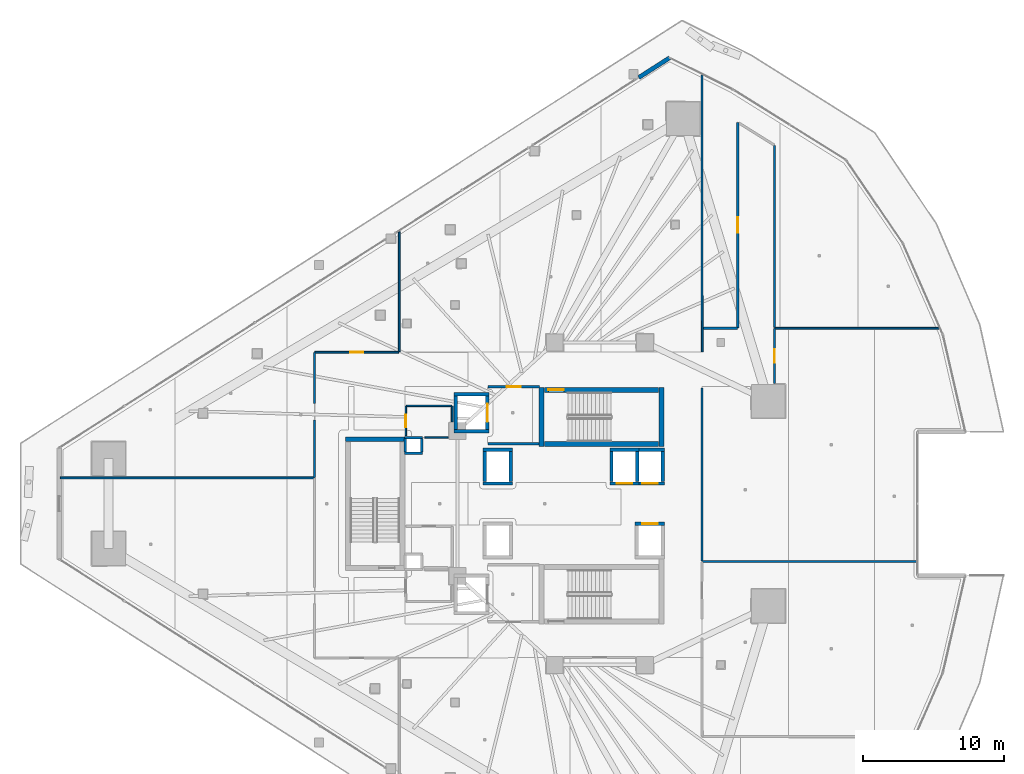
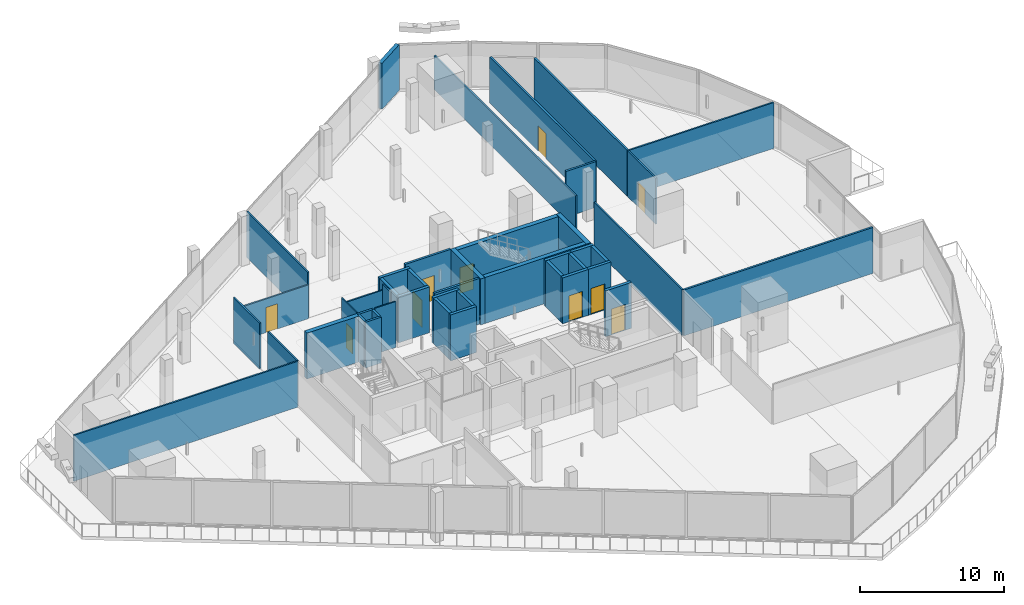
# One storey, part 30 of 45: 45 walls, 10 doors, 10 openings.
"""IFC4 building model written with IfcOpenShell, lengths in metres."""

from ifc_helpers import new_model, si_unit, direction, frame, frame_2d, origin, place, context, subcontext, project, spatial, rectangle, extrude, material, layer, layer_set, type_object, element, fill, save


model = new_model("IFC4")

# Units and contexts
model_context = context("Model", 3, precision=1e-05, world=origin(), true_north=direction((0.0, 1.0)))
body_context = subcontext(model_context, "Body", "Model", "MODEL_VIEW")
ifc_project = project(units=[si_unit("LENGTHUNIT", "METRE"), si_unit("AREAUNIT", "SQUARE_METRE"), si_unit("VOLUMEUNIT", "CUBIC_METRE"), si_unit("PLANEANGLEUNIT", "RADIAN"), si_unit("MASSUNIT", "GRAM", prefix="KILO")], contexts=[model_context])

# Site, building, storey
site_placement = place(None, origin())
site = spatial("IfcSite", under=ifc_project, at=site_placement, CompositionType="ELEMENT")
building_placement = place(site_placement, origin())
building = spatial("IfcBuilding", under=site, at=building_placement, Name="Qorvath Tower", CompositionType="ELEMENT")
storey_placement = place(building_placement, frame((0.0, 0.0, 95.39990234375)))
storey = spatial("IfcBuildingStorey", under=building, at=storey_placement, Name="L21", CompositionType="ELEMENT", Elevation=95.39990234375)

# Walls
ifc_material_1 = material(Name="Gypsum shaftliner on steel studs", Category="steel")
ifc_layer_1 = layer(ifc_material_1, 0.179931640625)
ifc_layer_set_1 = layer_set([ifc_layer_1], Name="FW-LOBBY")
wall_type_1 = type_object("IfcWallType", Name="FW-LOBBY", PredefinedType="PARTITIONING", material=ifc_layer_set_1)
for number, where, z_axis, x_axis, name in (
    (1, (-32.989990234375, 3.594970703125, 0.0), (0.0, 0.0, 1.0), (-1.0, 0.0, 0.0), "MEP Riser Shaft Enclosure Wall N-L21-S"),
    (2, (-34.260009765625, 4.675048828125, 0.0), (0.0, 0.0, 1.0), (1.0, 0.0, 0.0), "MEP Riser Shaft Enclosure Wall N-L21-N"),
):
    element("IfcWall", number, at=place(storey_placement, frame(where, z_axis=z_axis, x_axis=x_axis)), inside=storey, type_object=wall_type_1, Name=name, PredefinedType="PARTITIONING", context=body_context, shape_type="SweptSolid", body=[
        extrude(rectangle(XDim=1.27001953125, YDim=0.179931640625, at=frame_2d((0.635009765625, 0.0))), origin(), (0.0, 0.0, 1.0), 3.900146484375),
    ])
for number, where, z_axis, x_axis, name in (
    (3, (-34.205078125, 3.659912109375, 0.0), (0.0, 0.0, 1.0), (0.0, 1.0, 0.0), "MEP Riser Shaft Enclosure Wall N-L21-W"),
    (4, (-33.044921875, 4.610107421875, 0.0), (0.0, 0.0, 1.0), (0.0, -1.0, 0.0), "MEP Riser Shaft Enclosure Wall N-L21-E"),
):
    element("IfcWall", number, at=place(storey_placement, frame(where, z_axis=z_axis, x_axis=x_axis)), inside=storey, type_object=wall_type_1, Name=name, PredefinedType="PARTITIONING", context=body_context, shape_type="SweptSolid", body=[
        extrude(rectangle(XDim=0.9501953125, YDim=0.179931640625, at=frame_2d((0.47509765625, 0.0))), origin(), (0.0, 0.0, 1.0), 3.900146484375),
    ])
wall_1_placement = place(storey_placement, frame((-28.35498046875, 4.25, 0.0), z_axis=(0.0, 0.0, 1.0), x_axis=(1.0, 0.0, 0.0)))
element("IfcWall", 5, at=wall_1_placement, inside=storey, type_object=wall_type_1, Name="Interior Partition IW-T1-L21-001", PredefinedType="PARTITIONING", context=body_context, shape_type="SweptSolid", body=[
    extrude(rectangle(XDim=3.6220703125, YDim=0.179931640625, at=frame_2d((1.81103515625, 0.0))), origin(), (0.0, 0.0, 1.0), 3.900146484375),
])

# Wall, opening, door
wall_2_placement = place(storey_placement, frame((-24.68408203125, 8.300048828125, 0.0), z_axis=(0.0, 0.0, 1.0), x_axis=(-1.0, 0.0, 0.0)))
wall_2 = element("IfcWall", 6, at=wall_2_placement, inside=storey, type_object=wall_type_1, Name="Interior Partition IW-T1-L21-002", PredefinedType="PARTITIONING", context=body_context, shape_type="SweptSolid", body=[
    extrude(rectangle(XDim=3.6708984375, YDim=0.179931640625, at=frame_2d((1.83544921875, 0.0))), origin(), (0.0, 0.0, 1.0), 3.900146484375),
])
opening_1_placement = place(wall_2_placement, frame((1.33544921875, 0.0, 0.0)))
opening_1 = element("IfcOpeningElement", 7, at=opening_1_placement, cuts=wall_2, Name="Opening D-T1-L21-09", PredefinedType="OPENING", context=body_context, shape_type="SweptSolid", body=[
    extrude(rectangle(XDim=1.0, YDim=2.14990234375, at=frame_2d((0.5, 1.074951171875))), frame((0.0, 0.10009765625, 0.0), z_axis=(0.0, -1.0, 0.0), x_axis=(1.0, 0.0, 0.0)), (0.0, 0.0, 1.0), 0.199951171875),
])
ifc_material_2 = material(Name="Painted galvanised hollow metal", Category="steel")
door_type_1 = type_object("IfcDoorType", Name="FD-60", OperationType="NOTDEFINED", PredefinedType="DOOR", material=ifc_material_2)
door_1_placement = place(opening_1_placement, origin())
door_1 = element("IfcDoor", 8, at=door_1_placement, inside=storey, type_object=door_type_1, Name="Lobby Fire Service Elevator North Door D-T1-L21-09", OperationType="SINGLE_SWING_RIGHT", OverallHeight=2.14990234375, OverallWidth=1.0, PredefinedType="DOOR", context=body_context, shape_type="SweptSolid", body=[
    extrude(rectangle(XDim=1.0, YDim=2.14990234375, at=frame_2d((0.5, 1.074951171875))), frame((0.0, 0.02490234375, 0.0), z_axis=(0.0, -1.0, 0.0), x_axis=(1.0, 0.0, 0.0)), (0.0, 0.0, 1.0), 0.050048828125),
])
fill(opening_1, door_1)

# Walls
ifc_material_3 = material(Name="Double acoustic gypsum board on steel studs", Category="steel")
ifc_layer_2 = layer(ifc_material_3, 0.159912109375)
ifc_layer_set_2 = layer_set([ifc_layer_2], Name="IW-ACOUSTIC-160")
wall_type_2 = type_object("IfcWallType", Name="IW-ACOUSTIC-160", PredefinedType="PARTITIONING", material=ifc_layer_set_2)
wall_3_placement = place(storey_placement, frame((2.09228515625, -4.102783203125, 0.0), z_axis=(0.0, 0.0, 1.0), x_axis=(-1.0, 0.0, 0.0)))
element("IfcWall", 9, at=wall_3_placement, inside=storey, type_object=wall_type_2, Name="Interior Partition IW-T1-L21-022", PredefinedType="PARTITIONING", context=body_context, shape_type="SweptSolid", body=[
    extrude(rectangle(XDim=15.20947265625, YDim=0.159912109375, at=frame_2d((7.604736328125, 0.0))), origin(), (0.0, 0.0, 1.0), 3.900146484375),
])
wall_4_placement = place(storey_placement, frame((-13.0205078125, 12.464111328125, 0.0), z_axis=(0.0, 0.0, 1.0), x_axis=(1.0, 0.0, 0.0)))
element("IfcWall", 10, at=wall_4_placement, inside=storey, type_object=wall_type_2, Name="Interior Partition IW-T1-L21-028", PredefinedType="PARTITIONING", context=body_context, shape_type="SweptSolid", body=[
    extrude(rectangle(XDim=2.3876953125, YDim=0.159912109375, at=frame_2d((1.19384765625, 0.0))), origin(), (0.0, 0.0, 1.0), 3.900146484375),
])

# Wall, opening, door
wall_5_placement = place(storey_placement, frame((-10.60791015625, 27.066650390625, 0.0), z_axis=(0.0, 0.0, 1.0), x_axis=(0.0, -1.0, 0.0)))
wall_5 = element("IfcWall", 11, at=wall_5_placement, inside=storey, type_object=wall_type_2, Name="Interior Partition IW-T1-L21-029", PredefinedType="PARTITIONING", context=body_context, shape_type="SweptSolid", body=[
    extrude(rectangle(XDim=14.57763671875, YDim=0.159912109375, at=frame_2d((7.288818359375, 0.0))), origin(), (0.0, 0.0, 1.0), 3.900146484375),
])
opening_2_placement = place(wall_5_placement, frame((6.73876953125, 0.0, 0.0)))
opening_2 = element("IfcOpeningElement", 12, at=opening_2_placement, cuts=wall_5, Name="Opening D-T1-L21-06", PredefinedType="OPENING", context=body_context, shape_type="SweptSolid", body=[
    extrude(rectangle(XDim=1.10009765625, YDim=2.14990234375, at=frame_2d((0.550048828125, 1.074951171875))), frame((0.0, 0.08984375, 0.0), z_axis=(0.0, -1.0, 0.0), x_axis=(1.0, 0.0, 0.0)), (0.0, 0.0, 1.0), 0.179931640625),
])
ifc_material_4 = material(Name="Anodised aluminium acoustic framed glass", Category="aluminium")
door_type_2 = type_object("IfcDoorType", Name="D-03", OperationType="NOTDEFINED", PredefinedType="DOOR", material=ifc_material_4)
door_2_placement = place(opening_2_placement, origin())
door_2 = element("IfcDoor", 13, at=door_2_placement, inside=storey, type_object=door_type_2, Name="L21-05 Team Project Office Door D-T1-L21-06", OperationType="SINGLE_SWING_LEFT", OverallHeight=2.14990234375, OverallWidth=1.10009765625, PredefinedType="DOOR", context=body_context, shape_type="SweptSolid", body=[
    extrude(rectangle(XDim=1.10009765625, YDim=2.14990234375, at=frame_2d((0.550048828125, 1.074951171875))), frame((0.0, 0.02490234375, 0.0), z_axis=(0.0, -1.0, 0.0), x_axis=(1.0, 0.0, 0.0)), (0.0, 0.0, 1.0), 0.050048828125),
])
fill(opening_2, door_2)

# Walls
wall_6_placement = place(storey_placement, frame((-7.991943359375, 25.433349609375, 0.0), z_axis=(0.0, 0.0, 1.0), x_axis=(0.0, -1.0, 0.0)))
element("IfcWall", 14, at=wall_6_placement, inside=storey, type_object=wall_type_2, Name="Interior Partition IW-T1-L21-031", PredefinedType="PARTITIONING", context=body_context, shape_type="SweptSolid", body=[
    extrude(rectangle(XDim=12.93603515625, YDim=0.159912109375, at=frame_2d((6.468017578125, 0.0))), origin(), (0.0, 0.0, 1.0), 3.900146484375),
])
ifc_material_5 = material(Name="Gypsum board on metal studs with mineral wool", Category="gypsum")
ifc_layer_3 = layer(ifc_material_5, 0.125)
ifc_layer_set_3 = layer_set([ifc_layer_3], Name="IW-PART-125")
wall_type_3 = type_object("IfcWallType", Name="IW-PART-125", PredefinedType="PARTITIONING", material=ifc_layer_set_3)
wall_7_placement = place(storey_placement, frame((-13.1298828125, 10.783203125, 0.0), z_axis=(0.0, 0.0, 1.0), x_axis=(-0.000397683462, 0.999999920924, 0.0)))
element("IfcWall", 15, at=wall_7_placement, inside=storey, type_object=wall_type_3, Name="Interior Partition IW-T1-L21-016", PredefinedType="PARTITIONING", context=body_context, shape_type="SweptSolid", body=[
    extrude(rectangle(XDim=19.64501953125, YDim=0.125, at=frame_2d((9.822509765625, 0.0))), origin(), (0.0, 0.0, 1.0), 2.8701171875),
])
wall_8_placement = place(storey_placement, frame((-34.64990234375, 19.308349609375, 0.0), z_axis=(0.0, 0.0, 1.0), x_axis=(0.0, -1.0, 0.0)))
element("IfcWall", 16, at=wall_8_placement, inside=storey, type_object=wall_type_3, Name="Interior Partition IW-T1-L21-017", PredefinedType="PARTITIONING", context=body_context, shape_type="SweptSolid", body=[
    extrude(rectangle(XDim=8.525146484375, YDim=0.125, at=frame_2d((4.2626953125, 0.0))), origin(), (0.0, 0.0, 1.0), 3.900146484375),
])
wall_9_placement = place(storey_placement, frame((3.6962890625, 12.464111328125, 0.0), z_axis=(0.0, 0.0, 1.0), x_axis=(-1.0, 0.0, 0.0)))
element("IfcWall", 17, at=wall_9_placement, inside=storey, type_object=wall_type_3, Name="Interior Partition IW-T1-L21-025", PredefinedType="PARTITIONING", context=body_context, shape_type="SweptSolid", body=[
    extrude(rectangle(XDim=11.6630859375, YDim=0.125, at=frame_2d((5.83154296875, 0.0))), origin(), (0.0, 0.0, 1.0), 3.900146484375),
])

# Wall, opening, door
wall_10_placement = place(storey_placement, frame((-7.991943359375, 12.439208984375, 0.0), z_axis=(0.0, 0.0, 1.0), x_axis=(0.0, -1.0, 0.0)))
wall_10 = element("IfcWall", 18, at=wall_10_placement, inside=storey, type_object=wall_type_3, Name="Interior Partition IW-T1-L21-026", PredefinedType="PARTITIONING", context=body_context, shape_type="SweptSolid", body=[
    extrude(rectangle(XDim=3.897705078125, YDim=0.125, at=frame_2d((1.94873046875, 0.0))), origin(), (0.0, 0.0, 1.0), 3.900146484375),
])
opening_3_placement = place(wall_10_placement, frame((1.473876953125, 0.0, 0.0)))
opening_3 = element("IfcOpeningElement", 19, at=opening_3_placement, cuts=wall_10, Name="Opening D-T1-L21-05", PredefinedType="OPENING", context=body_context, shape_type="SweptSolid", body=[
    extrude(rectangle(XDim=0.949951171875, YDim=2.14990234375, at=frame_2d((0.47509765625, 1.074951171875))), frame((0.0, 0.072509765625, 0.0), z_axis=(0.0, -1.0, 0.0), x_axis=(1.0, 0.0, 0.0)), (0.0, 0.0, 1.0), 0.14501953125),
])
ifc_material_6 = material(Name="Solid-core American white oak veneer", Category="wood")
door_type_3 = type_object("IfcDoorType", Name="D-01", OperationType="NOTDEFINED", PredefinedType="DOOR", material=ifc_material_6)
door_3_placement = place(opening_3_placement, origin())
door_3 = element("IfcDoor", 20, at=door_3_placement, inside=storey, type_object=door_type_3, Name="L21-04 Quantitative Research Studio Door D-T1-L21-05", OperationType="SINGLE_SWING_RIGHT", OverallHeight=2.14990234375, OverallWidth=0.949951171875, PredefinedType="DOOR", context=body_context, shape_type="SweptSolid", body=[
    extrude(rectangle(XDim=0.949951171875, YDim=2.14990234375, at=frame_2d((0.47509765625, 1.074951171875))), frame((0.0, 0.02490234375, 0.0), z_axis=(0.0, -1.0, 0.0), x_axis=(1.0, 0.0, 0.0)), (0.0, 0.0, 1.0), 0.050048828125),
])
fill(opening_3, door_3)

# Walls
wall_11_placement = place(storey_placement, frame((-13.14208984375, 8.202392578125, 0.0), z_axis=(0.0, 0.0, 1.0), x_axis=(0.0, -1.0, 0.0)))
element("IfcWall", 21, at=wall_11_placement, inside=storey, type_object=wall_type_3, Name="Interior Partition IW-T1-L21-027", PredefinedType="PARTITIONING", context=body_context, shape_type="SweptSolid", body=[
    extrude(rectangle(XDim=12.2724609375, YDim=0.125, at=frame_2d((6.13623046875, 0.0))), origin(), (0.0, 0.0, 1.0), 3.900146484375),
])
wall_12_placement = place(storey_placement, frame((-40.68310546875, 1.83056640625, 0.0), z_axis=(0.0, 0.0, 1.0), x_axis=(-1.0, 0.0, 0.0)))
element("IfcWall", 22, at=wall_12_placement, inside=storey, type_object=wall_type_3, Name="Interior Partition IW-T1-L21-035", PredefinedType="PARTITIONING", context=body_context, shape_type="SweptSolid", body=[
    extrude(rectangle(XDim=18.030029296875, YDim=0.125, at=frame_2d((9.01513671875, 0.0))), origin(), (0.0, 0.0, 1.0), 3.900146484375),
])
wall_13_placement = place(storey_placement, frame((-40.657958984375, 1.863525390625, 0.0), z_axis=(0.0, 0.0, 1.0), x_axis=(0.0, 1.0, 0.0)))
element("IfcWall", 23, at=wall_13_placement, inside=storey, type_object=wall_type_3, Name="Interior Partition IW-T1-L21-036", PredefinedType="PARTITIONING", context=body_context, shape_type="SweptSolid", body=[
    extrude(rectangle(XDim=4.076416015625, YDim=0.125, at=frame_2d((2.0380859375, 0.0))), origin(), (0.0, 0.0, 1.0), 3.900146484375),
])
wall_14_placement = place(storey_placement, frame((-40.657958984375, 7.114013671875, 0.0), z_axis=(0.0, 0.0, 1.0), x_axis=(0.0, 1.0, 0.0)))
element("IfcWall", 24, at=wall_14_placement, inside=storey, type_object=wall_type_3, Name="Interior Partition IW-T1-L21-037", PredefinedType="PARTITIONING", context=body_context, shape_type="SweptSolid", body=[
    extrude(rectangle(XDim=3.619140625, YDim=0.125, at=frame_2d((1.8095703125, 0.0))), origin(), (0.0, 0.0, 1.0), 3.900146484375),
])

# Wall, opening, door
wall_15_placement = place(storey_placement, frame((-34.68310546875, 10.758056640625, 0.0), z_axis=(0.0, 0.0, 1.0), x_axis=(-1.0, 0.0, 0.0)))
wall_15 = element("IfcWall", 25, at=wall_15_placement, inside=storey, type_object=wall_type_3, Name="Interior Partition IW-T1-L21-038", PredefinedType="PARTITIONING", context=body_context, shape_type="SweptSolid", body=[
    extrude(rectangle(XDim=5.949951171875, YDim=0.125, at=frame_2d((2.97509765625, 0.0))), origin(), (0.0, 0.0, 1.0), 2.8701171875),
])
opening_4_placement = place(wall_15_placement, frame((2.5, 0.0, 0.0)))
opening_4 = element("IfcOpeningElement", 26, at=opening_4_placement, cuts=wall_15, Name="Opening D-T1-L21-08", PredefinedType="OPENING", context=body_context, shape_type="SweptSolid", body=[
    extrude(rectangle(XDim=0.949951171875, YDim=2.14990234375, at=frame_2d((0.47509765625, 1.074951171875))), frame((0.0, 0.072509765625, 0.0), z_axis=(0.0, -1.0, 0.0), x_axis=(1.0, 0.0, 0.0)), (0.0, 0.0, 1.0), 0.14501953125),
])
door_4_placement = place(opening_4_placement, origin())
door_4 = element("IfcDoor", 27, at=door_4_placement, inside=storey, type_object=door_type_3, Name="L21-07 Open Workplace Studio Door D-T1-L21-08", OperationType="SINGLE_SWING_LEFT", OverallHeight=2.14990234375, OverallWidth=0.949951171875, PredefinedType="DOOR", context=body_context, shape_type="SweptSolid", body=[
    extrude(rectangle(XDim=0.949951171875, YDim=2.14990234375, at=frame_2d((0.47509765625, 1.074951171875))), frame((0.0, 0.02490234375, 0.0), z_axis=(0.0, -1.0, 0.0), x_axis=(1.0, 0.0, 0.0)), (0.0, 0.0, 1.0), 0.050048828125),
])
fill(opening_4, door_4)

ifc_material_7 = material(Name="Moisture-resistant cement board on metal studs", Category="gypsum")
ifc_layer_4 = layer(ifc_material_7, 0.110107421875)
ifc_layer_set_4 = layer_set([ifc_layer_4], Name="IW-WC-110")
wall_type_4 = type_object("IfcWallType", Name="IW-WC-110", PredefinedType="PARTITIONING", material=ifc_layer_set_4)
wall_16_placement = place(storey_placement, frame((-34.179931640625, 6.925048828125, 0.0), z_axis=(0.0, 0.0, 1.0), x_axis=(0.0, -1.0, 0.0)))
wall_16 = element("IfcWall", 28, at=wall_16_placement, inside=storey, type_object=wall_type_4, Name="Interior Partition IW-T1-L21-005", PredefinedType="PARTITIONING", context=body_context, shape_type="SweptSolid", body=[
    extrude(rectangle(XDim=2.0849609375, YDim=0.110107421875, at=frame_2d((1.04248046875, 0.0))), origin(), (0.0, 0.0, 1.0), 3.900146484375),
])
opening_5_placement = place(wall_16_placement, frame((0.6025390625, 0.0, 0.0)))
opening_5 = element("IfcOpeningElement", 29, at=opening_5_placement, cuts=wall_16, Name="Opening D-T1-L21-01", PredefinedType="OPENING", context=body_context, shape_type="SweptSolid", body=[
    extrude(rectangle(XDim=0.8798828125, YDim=2.10009765625, at=frame_2d((0.43994140625, 1.050048828125))), frame((0.0, 0.06494140625, 0.0), z_axis=(0.0, -1.0, 0.0), x_axis=(1.0, 0.0, 0.0)), (0.0, 0.0, 1.0), 0.130126953125),
])
ifc_material_8 = material(Name="Solid-core oak with acoustic drop seal", Category="wood")
door_type_4 = type_object("IfcDoorType", Name="D-02", OperationType="NOTDEFINED", PredefinedType="DOOR", material=ifc_material_8)
door_5_placement = place(opening_5_placement, origin())
door_5 = element("IfcDoor", 30, at=door_5_placement, inside=storey, type_object=door_type_4, Name="Accessible WC North L21 Door D-T1-L21-01", OperationType="SINGLE_SWING_RIGHT", OverallHeight=2.10009765625, OverallWidth=0.8798828125, PredefinedType="DOOR", context=body_context, shape_type="SweptSolid", body=[
    extrude(rectangle(XDim=0.8798828125, YDim=2.10009765625, at=frame_2d((0.43994140625, 1.050048828125))), frame((0.0, 0.02490234375, 0.0), z_axis=(0.0, -1.0, 0.0), x_axis=(1.0, 0.0, 0.0)), (0.0, 0.0, 1.0), 0.050048828125),
])
fill(opening_5, door_5)

# Walls
wall_17_placement = place(storey_placement, frame((-32.827392578125, 4.699951171875, 0.0), z_axis=(0.0, 0.0, 1.0), x_axis=(1.0, 0.0, 0.0)))
element("IfcWall", 31, at=wall_17_placement, inside=storey, type_object=wall_type_4, Name="Interior Partition IW-T1-L21-006", PredefinedType="PARTITIONING", context=body_context, shape_type="SweptSolid", body=[
    extrude(rectangle(XDim=1.662353515625, YDim=0.110107421875, at=frame_2d((0.8310546875, 0.0))), origin(), (0.0, 0.0, 1.0), 3.900146484375),
])
wall_18_placement = place(storey_placement, frame((-30.8798828125, 5.81494140625, 0.0), z_axis=(0.0, 0.0, 1.0), x_axis=(0.0, 1.0, 0.0)))
element("IfcWall", 32, at=wall_18_placement, inside=storey, type_object=wall_type_4, Name="Interior Partition IW-T1-L21-007", PredefinedType="PARTITIONING", context=body_context, shape_type="SweptSolid", body=[
    extrude(rectangle(XDim=1.110107421875, YDim=0.110107421875, at=frame_2d((0.55517578125, 0.0))), origin(), (0.0, 0.0, 1.0), 3.900146484375),
])
wall_19_placement = place(storey_placement, frame((-30.90478515625, 6.949951171875, 0.0), z_axis=(0.0, 0.0, 1.0), x_axis=(-1.0, 0.0, 0.0)))
element("IfcWall", 33, at=wall_19_placement, inside=storey, type_object=wall_type_4, Name="Interior Partition IW-T1-L21-008", PredefinedType="PARTITIONING", context=body_context, shape_type="SweptSolid", body=[
    extrude(rectangle(XDim=3.25, YDim=0.110107421875, at=frame_2d((1.625, 0.0))), origin(), (0.0, 0.0, 1.0), 3.4130859375),
])
ifc_material_9 = material(Name="Concrete C60/75", Category="concrete")
ifc_layer_5 = layer(ifc_material_9, 0.260009765625)
ifc_layer_set_5 = layer_set([ifc_layer_5], Name="SW-SHAFT")
wall_type_5 = type_object("IfcWallType", Name="SW-SHAFT", PredefinedType="SHEAR", material=ifc_layer_set_5)
for number, where, z_axis, x_axis, name in (
    (34, (-28.260009765625, 5.1298828125, 0.0), (0.0, 0.0, 1.0), (-1.0, 0.0, 0.0), "Hoistway Wall FSAE-1 L21 S"),
    (35, (-30.739990234375, 7.77001953125, 0.0), (0.0, 0.0, 1.0), (1.0, 0.0, 0.0), "Hoistway Wall FSAE-1 L21 N"),
):
    element("IfcWall", number, at=place(storey_placement, frame(where, z_axis=z_axis, x_axis=x_axis)), inside=storey, type_object=wall_type_5, Name=name, PredefinedType="SHEAR", context=body_context, shape_type="SweptSolid", body=[
        extrude(rectangle(XDim=2.47998046875, YDim=0.239990234375, at=frame_2d((1.239990234375, 0.0))), origin(), (0.0, 0.0, 1.0), 3.900146484375),
    ])
wall_20_placement = place(storey_placement, frame((-30.6201171875, 5.261962890625, 0.0), z_axis=(0.0, 0.0, 1.0), x_axis=(0.0, 1.0, 0.0)))
element("IfcWall", 36, at=wall_20_placement, inside=storey, type_object=wall_type_5, Name="Hoistway Wall FSAE-1 L21 W", PredefinedType="SHEAR", context=body_context, shape_type="SweptSolid", body=[
    extrude(rectangle(XDim=2.3759765625, YDim=0.239990234375, at=frame_2d((1.18798828125, 0.0))), origin(), (0.0, 0.0, 1.0), 3.900146484375),
])

# Wall, opening, door
wall_21_placement = place(storey_placement, frame((-28.3798828125, 7.637939453125, 0.0), z_axis=(0.0, 0.0, 1.0), x_axis=(0.0, -1.0, 0.0)))
wall_21 = element("IfcWall", 37, at=wall_21_placement, inside=storey, type_object=wall_type_5, Name="Hoistway Wall FSAE-1 L21 E", PredefinedType="SHEAR", context=body_context, shape_type="SweptSolid", body=[
    extrude(rectangle(XDim=2.3759765625, YDim=0.239990234375, at=frame_2d((1.18798828125, 0.0))), origin(), (0.0, 0.0, 1.0), 3.900146484375),
])
opening_6_placement = place(wall_21_placement, frame((0.537841796875, 0.0, 0.0)))
opening_6 = element("IfcOpeningElement", 38, at=opening_6_placement, cuts=wall_21, Name="Opening LD-FSAE-1-L21", PredefinedType="OPENING", context=body_context, shape_type="SweptSolid", body=[
    extrude(rectangle(XDim=1.300048828125, YDim=2.300048828125, at=frame_2d((0.64990234375, 1.14990234375))), frame((0.0, 0.1298828125, 0.0), z_axis=(0.0, -1.0, 0.0), x_axis=(1.0, 0.0, 0.0)), (0.0, 0.0, 1.0), 0.260009765625),
])
ifc_material_10 = material(Name="Brushed stainless steel AISI 316", Category="steel")
door_type_5 = type_object("IfcDoorType", Name="LD-02", OperationType="NOTDEFINED", PredefinedType="DOOR", material=ifc_material_10)
door_6_placement = place(opening_6_placement, origin())
door_6 = element("IfcDoor", 39, at=door_6_placement, inside=storey, type_object=door_type_5, Name="Elevator Landing Sliding Door LD-FSAE-1-L21", OperationType="DOUBLE_DOOR_SLIDING", OverallHeight=2.300048828125, OverallWidth=1.300048828125, PredefinedType="DOOR", context=body_context, shape_type="SweptSolid", body=[
    extrude(rectangle(XDim=1.300048828125, YDim=2.300048828125, at=frame_2d((0.64990234375, 1.14990234375))), frame((0.0, 0.02490234375, 0.0), z_axis=(0.0, -1.0, 0.0), x_axis=(1.0, 0.0, 0.0)), (0.0, 0.0, 1.0), 0.050048828125),
])
fill(opening_6, door_6)

# Walls
for number, where, z_axis, x_axis, name in (
    (40, (-26.610107421875, 1.429931640625, 0.0), (0.0, 0.0, 1.0), (-1.0, 0.0, 0.0), "Hoistway Wall PS-1 L21 S"),
    (41, (-28.68994140625, 3.820068359375, 0.0), (0.0, 0.0, 1.0), (1.0, 0.0, 0.0), "Hoistway Wall PS-1 L21 N"),
):
    element("IfcWall", number, at=place(storey_placement, frame(where, z_axis=z_axis, x_axis=x_axis)), inside=storey, type_object=wall_type_5, Name=name, PredefinedType="SHEAR", context=body_context, shape_type="SweptSolid", body=[
        extrude(rectangle(XDim=2.079833984375, YDim=0.239990234375, at=frame_2d((1.0400390625, 0.0))), origin(), (0.0, 0.0, 1.0), 3.900146484375),
    ])
for number, where, z_axis, x_axis, name in (
    (42, (-28.570068359375, 1.56201171875, 0.0), (0.0, 0.0, 1.0), (0.0, 1.0, 0.0), "Hoistway Wall PS-1 L21 W"),
    (43, (-26.72998046875, 3.68798828125, 0.0), (0.0, 0.0, 1.0), (0.0, -1.0, 0.0), "Hoistway Wall PS-1 L21 E"),
):
    element("IfcWall", number, at=place(storey_placement, frame(where, z_axis=z_axis, x_axis=x_axis)), inside=storey, type_object=wall_type_5, Name=name, PredefinedType="SHEAR", context=body_context, shape_type="SweptSolid", body=[
        extrude(rectangle(XDim=2.1259765625, YDim=0.239990234375, at=frame_2d((1.06298828125, 0.0))), origin(), (0.0, 0.0, 1.0), 3.900146484375),
    ])

# Wall, opening, door
wall_22_placement = place(storey_placement, frame((-17.610107421875, 1.429931640625, 0.0), z_axis=(0.0, 0.0, 1.0), x_axis=(-1.0, 0.0, 0.0)))
wall_22 = element("IfcWall", 44, at=wall_22_placement, inside=storey, type_object=wall_type_5, Name="Hoistway Wall PL-1 L21 S", PredefinedType="SHEAR", context=body_context, shape_type="SweptSolid", body=[
    extrude(rectangle(XDim=2.079833984375, YDim=0.239990234375, at=frame_2d((1.0400390625, 0.0))), origin(), (0.0, 0.0, 1.0), 3.900146484375),
])
opening_7_placement = place(wall_22_placement, frame((0.48974609375, 0.0, 0.0)))
opening_7 = element("IfcOpeningElement", 45, at=opening_7_placement, cuts=wall_22, Name="Opening LD-PL-1-L21", PredefinedType="OPENING", context=body_context, shape_type="SweptSolid", body=[
    extrude(rectangle(XDim=1.10009765625, YDim=2.199951171875, at=frame_2d((0.550048828125, 1.10009765625))), frame((0.0, 0.1298828125, 0.0), z_axis=(0.0, -1.0, 0.0), x_axis=(1.0, 0.0, 0.0)), (0.0, 0.0, 1.0), 0.260009765625),
])
ifc_material_11 = material(Name="Brushed stainless steel AISI 316", Category="steel")
door_type_6 = type_object("IfcDoorType", Name="LD-01", OperationType="NOTDEFINED", PredefinedType="DOOR", material=ifc_material_11)
door_7_placement = place(opening_7_placement, origin())
door_7 = element("IfcDoor", 46, at=door_7_placement, inside=storey, type_object=door_type_6, Name="Elevator Landing Sliding Door LD-PL-1-L21", OperationType="DOUBLE_DOOR_SLIDING", OverallHeight=2.199951171875, OverallWidth=1.10009765625, PredefinedType="DOOR", context=body_context, shape_type="SweptSolid", body=[
    extrude(rectangle(XDim=1.10009765625, YDim=2.199951171875, at=frame_2d((0.550048828125, 1.10009765625))), frame((0.0, 0.02490234375, 0.0), z_axis=(0.0, -1.0, 0.0), x_axis=(1.0, 0.0, 0.0)), (0.0, 0.0, 1.0), 0.050048828125),
])
fill(opening_7, door_7)

# Walls
wall_23_placement = place(storey_placement, frame((-19.68994140625, 3.820068359375, 0.0), z_axis=(0.0, 0.0, 1.0), x_axis=(1.0, 0.0, 0.0)))
element("IfcWall", 47, at=wall_23_placement, inside=storey, type_object=wall_type_5, Name="Hoistway Wall PL-1 L21 N", PredefinedType="SHEAR", context=body_context, shape_type="SweptSolid", body=[
    extrude(rectangle(XDim=2.079833984375, YDim=0.239990234375, at=frame_2d((1.0400390625, 0.0))), origin(), (0.0, 0.0, 1.0), 3.900146484375),
])
for number, where, z_axis, x_axis, name in (
    (48, (-19.570068359375, 1.56201171875, 0.0), (0.0, 0.0, 1.0), (0.0, 1.0, 0.0), "Hoistway Wall PL-1 L21 W"),
    (49, (-17.72998046875, 3.68798828125, 0.0), (0.0, 0.0, 1.0), (0.0, -1.0, 0.0), "Hoistway Wall PL-1 L21 E"),
):
    element("IfcWall", number, at=place(storey_placement, frame(where, z_axis=z_axis, x_axis=x_axis)), inside=storey, type_object=wall_type_5, Name=name, PredefinedType="SHEAR", context=body_context, shape_type="SweptSolid", body=[
        extrude(rectangle(XDim=2.1259765625, YDim=0.239990234375, at=frame_2d((1.06298828125, 0.0))), origin(), (0.0, 0.0, 1.0), 3.900146484375),
    ])

# Wall, opening, door
wall_24_placement = place(storey_placement, frame((-15.81005859375, 1.429931640625, 0.0), z_axis=(0.0, 0.0, 1.0), x_axis=(-1.0, 0.0, 0.0)))
wall_24 = element("IfcWall", 50, at=wall_24_placement, inside=storey, type_object=wall_type_5, Name="Hoistway Wall PL-3 L21 S", PredefinedType="SHEAR", context=body_context, shape_type="SweptSolid", body=[
    extrude(rectangle(XDim=1.800048828125, YDim=0.239990234375, at=frame_2d((0.89990234375, 0.0))), origin(), (0.0, 0.0, 1.0), 3.900146484375),
])
opening_8_placement = place(wall_24_placement, frame((0.489990234375, 0.0, 0.0)))
opening_8 = element("IfcOpeningElement", 51, at=opening_8_placement, cuts=wall_24, Name="Opening LD-PL-3-L21", PredefinedType="OPENING", context=body_context, shape_type="SweptSolid", body=[
    extrude(rectangle(XDim=1.10009765625, YDim=2.199951171875, at=frame_2d((0.550048828125, 1.10009765625))), frame((0.0, 0.1298828125, 0.0), z_axis=(0.0, -1.0, 0.0), x_axis=(1.0, 0.0, 0.0)), (0.0, 0.0, 1.0), 0.260009765625),
])
door_8_placement = place(opening_8_placement, origin())
door_8 = element("IfcDoor", 52, at=door_8_placement, inside=storey, type_object=door_type_6, Name="Elevator Landing Sliding Door LD-PL-3-L21", OperationType="DOUBLE_DOOR_SLIDING", OverallHeight=2.199951171875, OverallWidth=1.10009765625, PredefinedType="DOOR", context=body_context, shape_type="SweptSolid", body=[
    extrude(rectangle(XDim=1.10009765625, YDim=2.199951171875, at=frame_2d((0.550048828125, 1.10009765625))), frame((0.0, 0.02490234375, 0.0), z_axis=(0.0, -1.0, 0.0), x_axis=(1.0, 0.0, 0.0)), (0.0, 0.0, 1.0), 0.050048828125),
])
fill(opening_8, door_8)

# Walls
wall_25_placement = place(storey_placement, frame((-17.610107421875, 3.820068359375, 0.0), z_axis=(0.0, 0.0, 1.0), x_axis=(1.0, 0.0, 0.0)))
element("IfcWall", 53, at=wall_25_placement, inside=storey, type_object=wall_type_5, Name="Hoistway Wall PL-3 L21 N", PredefinedType="SHEAR", context=body_context, shape_type="SweptSolid", body=[
    extrude(rectangle(XDim=1.800048828125, YDim=0.239990234375, at=frame_2d((0.89990234375, 0.0))), origin(), (0.0, 0.0, 1.0), 3.900146484375),
])
wall_26_placement = place(storey_placement, frame((-15.929931640625, 3.68798828125, 0.0), z_axis=(0.0, 0.0, 1.0), x_axis=(0.0, -1.0, 0.0)))
element("IfcWall", 54, at=wall_26_placement, inside=storey, type_object=wall_type_5, Name="Hoistway Wall PL-3 L21 E", PredefinedType="SHEAR", context=body_context, shape_type="SweptSolid", body=[
    extrude(rectangle(XDim=2.1259765625, YDim=0.239990234375, at=frame_2d((1.06298828125, 0.0))), origin(), (0.0, 0.0, 1.0), 3.900146484375),
])

# Wall, opening, door
wall_27_placement = place(storey_placement, frame((-17.889892578125, -1.429931640625, 0.0), z_axis=(0.0, 0.0, 1.0), x_axis=(1.0, 0.0, 0.0)))
wall_27 = element("IfcWall", 55, at=wall_27_placement, inside=storey, type_object=wall_type_5, Name="Hoistway Wall PL-2 L21 N", PredefinedType="SHEAR", context=body_context, shape_type="SweptSolid", body=[
    extrude(rectangle(XDim=2.079833984375, YDim=0.239990234375, at=frame_2d((1.0400390625, 0.0))), origin(), (0.0, 0.0, 1.0), 3.900146484375),
])
opening_9_placement = place(wall_27_placement, frame((0.48974609375, 0.0, 0.0)))
opening_9 = element("IfcOpeningElement", 56, at=opening_9_placement, cuts=wall_27, Name="Opening LD-PL-2-L21", PredefinedType="OPENING", context=body_context, shape_type="SweptSolid", body=[
    extrude(rectangle(XDim=1.10009765625, YDim=2.199951171875, at=frame_2d((0.550048828125, 1.10009765625))), frame((0.0, 0.1298828125, 0.0), z_axis=(0.0, -1.0, 0.0), x_axis=(1.0, 0.0, 0.0)), (0.0, 0.0, 1.0), 0.260009765625),
])
door_9_placement = place(opening_9_placement, origin())
door_9 = element("IfcDoor", 57, at=door_9_placement, inside=storey, type_object=door_type_6, Name="Elevator Landing Sliding Door LD-PL-2-L21", OperationType="DOUBLE_DOOR_SLIDING", OverallHeight=2.199951171875, OverallWidth=1.10009765625, PredefinedType="DOOR", context=body_context, shape_type="SweptSolid", body=[
    extrude(rectangle(XDim=1.10009765625, YDim=2.199951171875, at=frame_2d((0.550048828125, 1.10009765625))), frame((0.0, 0.02490234375, 0.0), z_axis=(0.0, -1.0, 0.0), x_axis=(1.0, 0.0, 0.0)), (0.0, 0.0, 1.0), 0.050048828125),
])
fill(opening_9, door_9)

# Walls
ifc_material_12 = material(Name="Concrete C60/75", Category="concrete")
ifc_layer_6 = layer(ifc_material_12, 0.35009765625)
ifc_layer_set_6 = layer_set([ifc_layer_6], Name="SW-STAIR")
wall_type_6 = type_object("IfcWallType", Name="SW-STAIR", PredefinedType="SHEAR", material=ifc_layer_set_6)
for number, where, z_axis, x_axis, name in (
    (58, (-24.52490234375, 8.260009765625, 0.0), (0.0, 0.0, 1.0), (0.0, -1.0, 0.0), "Stair TS1 Shear Wall L21 NEAR"),
    (59, (-16.02490234375, 4.050048828125, 0.0), (0.0, 0.0, 1.0), (0.0, 1.0, 0.0), "Stair TS1 Shear Wall L21 FAR"),
):
    element("IfcWall", number, at=place(storey_placement, frame(where, z_axis=z_axis, x_axis=x_axis)), inside=storey, type_object=wall_type_6, Name=name, PredefinedType="SHEAR", context=body_context, shape_type="SweptSolid", body=[
        extrude(rectangle(XDim=4.2099609375, YDim=0.35009765625, at=frame_2d((2.10498046875, 0.0))), origin(), (0.0, 0.0, 1.0), 3.900146484375),
    ])
wall_28_placement = place(storey_placement, frame((-24.3349609375, 4.22509765625, 0.0), z_axis=(0.0, 0.0, 1.0), x_axis=(1.0, 0.0, 0.0)))
element("IfcWall", 60, at=wall_28_placement, inside=storey, type_object=wall_type_6, Name="Stair TS1 Shear Wall L21 LEFT", PredefinedType="SHEAR", context=body_context, shape_type="SweptSolid", body=[
    extrude(rectangle(XDim=8.119873046875, YDim=0.35009765625, at=frame_2d((4.06005859375, 0.0))), origin(), (0.0, 0.0, 1.0), 3.900146484375),
])

# Wall, opening, door
wall_29_placement = place(storey_placement, frame((-16.215087890625, 8.0849609375, 0.0), z_axis=(0.0, 0.0, 1.0), x_axis=(-1.0, 0.0, 0.0)))
wall_29 = element("IfcWall", 61, at=wall_29_placement, inside=storey, type_object=wall_type_6, Name="Stair TS1 Shear Wall L21 RIGHT", PredefinedType="SHEAR", context=body_context, shape_type="SweptSolid", body=[
    extrude(rectangle(XDim=8.119873046875, YDim=0.35009765625, at=frame_2d((4.06005859375, 0.0))), origin(), (0.0, 0.0, 1.0), 3.900146484375),
])
opening_10_placement = place(wall_29_placement, frame((6.739990234375, 0.0, 0.0)))
opening_10 = element("IfcOpeningElement", 62, at=opening_10_placement, cuts=wall_29, Name="Opening D-TS1-L21", PredefinedType="OPENING", context=body_context, shape_type="SweptSolid", body=[
    extrude(rectangle(XDim=1.10009765625, YDim=2.199951171875, at=frame_2d((0.550048828125, 1.10009765625))), frame((0.0, 0.18505859375, 0.0), z_axis=(0.0, -1.0, 0.0), x_axis=(1.0, 0.0, 0.0)), (0.0, 0.0, 1.0), 0.3701171875),
])
ifc_material_13 = material(Name="Painted galvanised hollow metal", Category="steel")
door_type_7 = type_object("IfcDoorType", Name="FD-90", OperationType="NOTDEFINED", PredefinedType="DOOR", material=ifc_material_13)
door_10_placement = place(opening_10_placement, origin())
door_10 = element("IfcDoor", 63, at=door_10_placement, inside=storey, type_object=door_type_7, Name="Stair TS1 Fire Door L21", OperationType="SINGLE_SWING_RIGHT", OverallHeight=2.199951171875, OverallWidth=1.10009765625, PredefinedType="DOOR", context=body_context, shape_type="SweptSolid", body=[
    extrude(rectangle(XDim=1.10009765625, YDim=2.199951171875, at=frame_2d((0.550048828125, 1.10009765625))), frame((0.0, 0.02490234375, 0.0), z_axis=(0.0, -1.0, 0.0), x_axis=(1.0, 0.0, 0.0)), (0.0, 0.0, 1.0), 0.050048828125),
])
fill(opening_10, door_10)

# Walls
wall_30_placement = place(storey_placement, frame((-34.25, 4.574951171875, 0.0), z_axis=(0.0, 0.0, 1.0), x_axis=(-1.0, 0.0, 0.0)))
element("IfcWall", 64, at=wall_30_placement, inside=storey, type_object=wall_type_6, Name="Stair TS3 Shear Wall L21 FAR", PredefinedType="SHEAR", context=body_context, shape_type="SweptSolid", body=[
    extrude(rectangle(XDim=4.2099609375, YDim=0.35009765625, at=frame_2d((2.10498046875, 0.0))), origin(), (0.0, 0.0, 1.0), 3.900146484375),
])
ifc_material_14 = material(Name="Precast concrete C45/55", Category="concrete")
ifc_layer_7 = layer(ifc_material_14, 0.300048828125)
ifc_layer_set_7 = layer_set([ifc_layer_7], Name="WL-EW-LOG-300")
wall_type_7 = type_object("IfcWallType", Name="WL-EW-LOG-300", PredefinedType="SOLIDWALL", material=ifc_layer_set_7)
wall_31_placement = place(storey_placement, frame((-17.6298828125, 30.266357421875, 0.0), z_axis=(0.0, 0.0, 1.0), x_axis=(0.84258941289, 0.538556479198, 0.0)))
element("IfcWall", 65, at=wall_31_placement, inside=storey, type_object=wall_type_7, Name="Tower Precast Loggia Wall L21-16.1", PredefinedType="SOLIDWALL", context=body_context, shape_type="SweptSolid", body=[
    extrude(rectangle(XDim=2.592041015625, YDim=0.300048828125, at=frame_2d((1.2958984375, 0.0))), origin(), (0.0, 0.0, 1.0), 3.900146484375),
])

save(model, "model.ifc")
